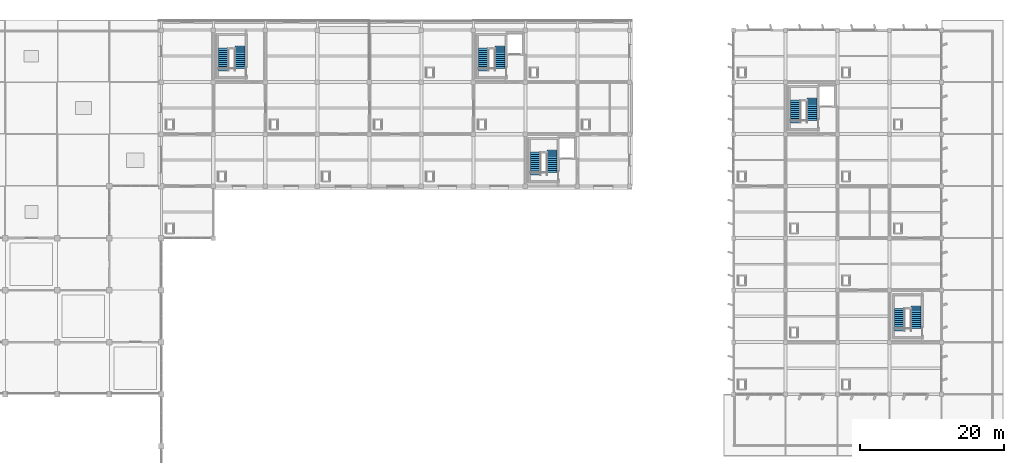
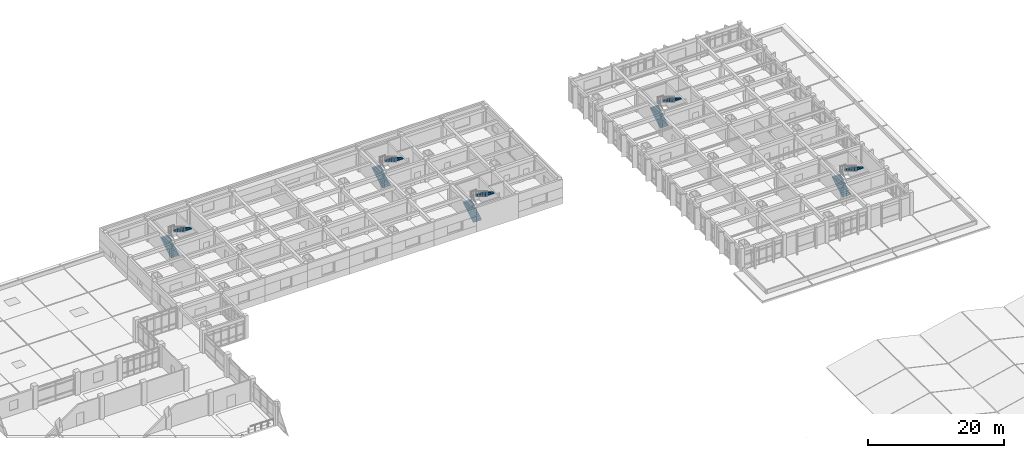
# One storey, part 58 of 62: 10 stair flights, 5 elements without a shape of their own.
"""IFC4 building model written with IfcOpenShell, lengths in metres."""

from ifc_helpers import new_model, si_unit, direction, frame, origin, place, context, subcontext, project, spatial, polyline, outline, extrude, material, type_object, element, aggregate, save


model = new_model("IFC4")

# Units and contexts
model_context = context("Model", 3, precision=1e-05, world=origin(), true_north=direction((0.0, 1.0)))
body_context = subcontext(model_context, "Body", "Model", "MODEL_VIEW")
ifc_project = project(units=[si_unit("LENGTHUNIT", "METRE"), si_unit("AREAUNIT", "SQUARE_METRE"), si_unit("VOLUMEUNIT", "CUBIC_METRE"), si_unit("PLANEANGLEUNIT", "RADIAN"), si_unit("MASSUNIT", "GRAM", prefix="KILO")], contexts=[model_context])

# Site, building, storey
site_placement = place(None, origin())
site = spatial("IfcSite", under=ifc_project, at=site_placement, CompositionType="ELEMENT")
building_placement = place(site_placement, origin())
building = spatial("IfcBuilding", under=site, at=building_placement, Name="Kavelor Marine Aquarium", CompositionType="ELEMENT")
storey_placement = place(building_placement, frame((0.0, 0.0, 13.5)))
storey = spatial("IfcBuildingStorey", under=building, at=storey_placement, Name="L03", CompositionType="ELEMENT", Elevation=13.5)

# Stair, stair flights
ifc_material_1 = material(Name="Concrete C40/50", Category="concrete")
stair_type = type_object("IfcStairType", Name="ST-T4", PredefinedType="HALF_TURN_STAIR", material=ifc_material_1)
stair_1_placement = place(storey_placement, origin())
stair_1 = element("IfcStair", 1, at=stair_1_placement, inside=storey, type_object=stair_type, Name="Exit Stair ST05 (L03)", PredefinedType="HALF_TURN_STAIR")
ifc_material_2 = material(Name="Concrete C40/50", Category="concrete")
stair_flight_type = type_object("IfcStairFlightType", Name="FLT-T4", PredefinedType="STRAIGHT", material=ifc_material_2)
stair_flight_1_placement = place(storey_placement, frame((47.780029296875, 105.159912109375, 0.0), z_axis=(0.0, 0.0, 1.0), x_axis=(0.0, 1.0, 0.0)))
stair_flight_1 = element("IfcStairFlight", 2, at=stair_flight_1_placement, type_object=stair_flight_type, Name="ST05 flight 1", NumberOfRisers=12, NumberOfTreads=11, PredefinedType="STRAIGHT", RiserHeight=0.1725, TreadLength=0.285, context=body_context, shape_type="SweptSolid", body=[
    extrude(outline(polyline([(0.0, 0.0), (0.0, 0.172607421875), (0.284912109375, 0.172607421875), (0.284912109375, 0.344970703125), (0.570068359375, 0.344970703125), (0.570068359375, 0.517578125), (0.85498046875, 0.517578125), (0.85498046875, 0.68994140625), (1.139892578125, 0.68994140625), (1.139892578125, 0.862548828125), (1.425048828125, 0.862548828125), (1.425048828125, 1.034912109375), (1.7099609375, 1.034912109375), (1.7099609375, 1.20751953125), (1.9951171875, 1.20751953125), (1.9951171875, 1.3798828125), (2.280029296875, 1.3798828125), (2.280029296875, 1.552490234375), (2.56494140625, 1.552490234375), (2.56494140625, 1.72509765625), (2.85009765625, 1.72509765625), (2.85009765625, 1.8974609375), (3.135009765625, 1.8974609375), (3.135009765625, 2.070068359375), (3.135009765625, 1.687255859375), (0.347412109375, 0.0), (0.0, 0.0)])), frame((0.0, 0.68994140625, 0.0), z_axis=(0.0, -1.0, 0.0), x_axis=(1.0, 0.0, 0.0)), (0.0, 0.0, 1.0), 1.3798828125),
])
stair_flight_2_placement = place(storey_placement, frame((50.10009765625, 108.594970703125, 2.070068359375), z_axis=(0.0, 0.0, 1.0), x_axis=(0.0, -1.0, 0.0)))
stair_flight_2 = element("IfcStairFlight", 3, at=stair_flight_2_placement, type_object=stair_flight_type, Name="ST05 flight 2", NumberOfRisers=12, NumberOfTreads=11, PredefinedType="STRAIGHT", RiserHeight=0.1725, TreadLength=0.285, context=body_context, shape_type="SweptSolid", body=[
    extrude(outline(polyline([(0.0, 0.0), (0.0, 0.172607421875), (0.284912109375, 0.172607421875), (0.284912109375, 0.344970703125), (0.570068359375, 0.344970703125), (0.570068359375, 0.517578125), (0.85498046875, 0.517578125), (0.85498046875, 0.68994140625), (1.139892578125, 0.68994140625), (1.139892578125, 0.862548828125), (1.425048828125, 0.862548828125), (1.425048828125, 1.034912109375), (1.7099609375, 1.034912109375), (1.7099609375, 1.20751953125), (1.9951171875, 1.20751953125), (1.9951171875, 1.3798828125), (2.280029296875, 1.3798828125), (2.280029296875, 1.552490234375), (2.56494140625, 1.552490234375), (2.56494140625, 1.72509765625), (2.85009765625, 1.72509765625), (2.85009765625, 1.8974609375), (3.135009765625, 1.8974609375), (3.135009765625, 2.070068359375), (3.135009765625, 1.687255859375), (0.347412109375, 0.0), (0.0, 0.0)])), frame((0.0, 0.68994140625, 0.0), z_axis=(0.0, -1.0, 0.0), x_axis=(1.0, 0.0, 0.0)), (0.0, 0.0, 1.0), 1.3798828125),
])
aggregate(stair_1, [stair_flight_1, stair_flight_2])

stair_2_placement = place(storey_placement, origin())
stair_2 = element("IfcStair", 4, at=stair_2_placement, inside=storey, type_object=stair_type, Name="Exit Stair ST06 (L03)", PredefinedType="HALF_TURN_STAIR")
stair_flight_3_placement = place(storey_placement, frame((83.780029296875, 105.159912109375, 0.0), z_axis=(0.0, 0.0, 1.0), x_axis=(0.0, 1.0, 0.0)))
stair_flight_3 = element("IfcStairFlight", 5, at=stair_flight_3_placement, type_object=stair_flight_type, Name="ST06 flight 1", NumberOfRisers=12, NumberOfTreads=11, PredefinedType="STRAIGHT", RiserHeight=0.1725, TreadLength=0.285, context=body_context, shape_type="SweptSolid", body=[
    extrude(outline(polyline([(0.0, 0.0), (0.0, 0.172607421875), (0.284912109375, 0.172607421875), (0.284912109375, 0.344970703125), (0.570068359375, 0.344970703125), (0.570068359375, 0.517578125), (0.85498046875, 0.517578125), (0.85498046875, 0.68994140625), (1.139892578125, 0.68994140625), (1.139892578125, 0.862548828125), (1.425048828125, 0.862548828125), (1.425048828125, 1.034912109375), (1.7099609375, 1.034912109375), (1.7099609375, 1.20751953125), (1.9951171875, 1.20751953125), (1.9951171875, 1.3798828125), (2.280029296875, 1.3798828125), (2.280029296875, 1.552490234375), (2.56494140625, 1.552490234375), (2.56494140625, 1.72509765625), (2.85009765625, 1.72509765625), (2.85009765625, 1.8974609375), (3.135009765625, 1.8974609375), (3.135009765625, 2.070068359375), (3.135009765625, 1.687255859375), (0.347412109375, 0.0), (0.0, 0.0)])), frame((0.0, 0.68994140625, 0.0), z_axis=(0.0, -1.0, 0.0), x_axis=(1.0, 0.0, 0.0)), (0.0, 0.0, 1.0), 1.3798828125),
])
stair_flight_4_placement = place(storey_placement, frame((86.10009765625, 108.594970703125, 2.070068359375), z_axis=(0.0, 0.0, 1.0), x_axis=(0.0, -1.0, 0.0)))
stair_flight_4 = element("IfcStairFlight", 6, at=stair_flight_4_placement, type_object=stair_flight_type, Name="ST06 flight 2", NumberOfRisers=12, NumberOfTreads=11, PredefinedType="STRAIGHT", RiserHeight=0.1725, TreadLength=0.285, context=body_context, shape_type="SweptSolid", body=[
    extrude(outline(polyline([(0.0, 0.0), (0.0, 0.172607421875), (0.284912109375, 0.172607421875), (0.284912109375, 0.344970703125), (0.570068359375, 0.344970703125), (0.570068359375, 0.517578125), (0.85498046875, 0.517578125), (0.85498046875, 0.68994140625), (1.139892578125, 0.68994140625), (1.139892578125, 0.862548828125), (1.425048828125, 0.862548828125), (1.425048828125, 1.034912109375), (1.7099609375, 1.034912109375), (1.7099609375, 1.20751953125), (1.9951171875, 1.20751953125), (1.9951171875, 1.3798828125), (2.280029296875, 1.3798828125), (2.280029296875, 1.552490234375), (2.56494140625, 1.552490234375), (2.56494140625, 1.72509765625), (2.85009765625, 1.72509765625), (2.85009765625, 1.8974609375), (3.135009765625, 1.8974609375), (3.135009765625, 2.070068359375), (3.135009765625, 1.687255859375), (0.347412109375, 0.0), (0.0, 0.0)])), frame((0.0, 0.68994140625, 0.0), z_axis=(0.0, -1.0, 0.0), x_axis=(1.0, 0.0, 0.0)), (0.0, 0.0, 1.0), 1.3798828125),
])
aggregate(stair_2, [stair_flight_3, stair_flight_4])

stair_3_placement = place(storey_placement, origin())
stair_3 = element("IfcStair", 7, at=stair_3_placement, inside=storey, type_object=stair_type, Name="Exit Stair ST07 (L03)", PredefinedType="HALF_TURN_STAIR")
stair_flight_5_placement = place(storey_placement, frame((90.97998046875, 90.760009765625, 0.0), z_axis=(0.0, 0.0, 1.0), x_axis=(0.0, 1.0, 0.0)))
stair_flight_5 = element("IfcStairFlight", 8, at=stair_flight_5_placement, type_object=stair_flight_type, Name="ST07 flight 1", NumberOfRisers=12, NumberOfTreads=11, PredefinedType="STRAIGHT", RiserHeight=0.1725, TreadLength=0.285, context=body_context, shape_type="SweptSolid", body=[
    extrude(outline(polyline([(0.0, 0.0), (0.0, 0.172607421875), (0.284912109375, 0.172607421875), (0.284912109375, 0.344970703125), (0.570068359375, 0.344970703125), (0.570068359375, 0.517578125), (0.85498046875, 0.517578125), (0.85498046875, 0.68994140625), (1.139892578125, 0.68994140625), (1.139892578125, 0.862548828125), (1.425048828125, 0.862548828125), (1.425048828125, 1.034912109375), (1.7099609375, 1.034912109375), (1.7099609375, 1.20751953125), (1.9951171875, 1.20751953125), (1.9951171875, 1.3798828125), (2.280029296875, 1.3798828125), (2.280029296875, 1.552490234375), (2.56494140625, 1.552490234375), (2.56494140625, 1.72509765625), (2.85009765625, 1.72509765625), (2.85009765625, 1.8974609375), (3.135009765625, 1.8974609375), (3.135009765625, 2.070068359375), (3.135009765625, 1.687255859375), (0.347412109375, 0.0), (0.0, 0.0)])), frame((0.0, 0.68994140625, 0.0), z_axis=(0.0, -1.0, 0.0), x_axis=(1.0, 0.0, 0.0)), (0.0, 0.0, 1.0), 1.3798828125),
])
stair_flight_6_placement = place(storey_placement, frame((93.300048828125, 94.195068359375, 2.070068359375), z_axis=(0.0, 0.0, 1.0), x_axis=(0.0, -1.0, 0.0)))
stair_flight_6 = element("IfcStairFlight", 9, at=stair_flight_6_placement, type_object=stair_flight_type, Name="ST07 flight 2", NumberOfRisers=12, NumberOfTreads=11, PredefinedType="STRAIGHT", RiserHeight=0.1725, TreadLength=0.285, context=body_context, shape_type="SweptSolid", body=[
    extrude(outline(polyline([(0.0, 0.0), (0.0, 0.172607421875), (0.284912109375, 0.172607421875), (0.284912109375, 0.344970703125), (0.570068359375, 0.344970703125), (0.570068359375, 0.517578125), (0.85498046875, 0.517578125), (0.85498046875, 0.68994140625), (1.139892578125, 0.68994140625), (1.139892578125, 0.862548828125), (1.425048828125, 0.862548828125), (1.425048828125, 1.034912109375), (1.7099609375, 1.034912109375), (1.7099609375, 1.20751953125), (1.9951171875, 1.20751953125), (1.9951171875, 1.3798828125), (2.280029296875, 1.3798828125), (2.280029296875, 1.552490234375), (2.56494140625, 1.552490234375), (2.56494140625, 1.72509765625), (2.85009765625, 1.72509765625), (2.85009765625, 1.8974609375), (3.135009765625, 1.8974609375), (3.135009765625, 2.070068359375), (3.135009765625, 1.687255859375), (0.347412109375, 0.0), (0.0, 0.0)])), frame((0.0, 0.68994140625, 0.0), z_axis=(0.0, -1.0, 0.0), x_axis=(1.0, 0.0, 0.0)), (0.0, 0.0, 1.0), 1.3798828125),
])
aggregate(stair_3, [stair_flight_5, stair_flight_6])

stair_4_placement = place(storey_placement, origin())
stair_4 = element("IfcStair", 10, at=stair_4_placement, inside=storey, type_object=stair_type, Name="Exit Stair ST10 (L03)", PredefinedType="HALF_TURN_STAIR")
stair_flight_7_placement = place(storey_placement, frame((126.97998046875, 97.9599609375, 0.0), z_axis=(0.0, 0.0, 1.0), x_axis=(0.0, 1.0, 0.0)))
stair_flight_7 = element("IfcStairFlight", 11, at=stair_flight_7_placement, type_object=stair_flight_type, Name="ST10 flight 1", NumberOfRisers=12, NumberOfTreads=11, PredefinedType="STRAIGHT", RiserHeight=0.1725, TreadLength=0.285, context=body_context, shape_type="SweptSolid", body=[
    extrude(outline(polyline([(0.0, 0.0), (0.0, 0.172607421875), (0.284912109375, 0.172607421875), (0.284912109375, 0.344970703125), (0.570068359375, 0.344970703125), (0.570068359375, 0.517578125), (0.85498046875, 0.517578125), (0.85498046875, 0.68994140625), (1.139892578125, 0.68994140625), (1.139892578125, 0.862548828125), (1.425048828125, 0.862548828125), (1.425048828125, 1.034912109375), (1.7099609375, 1.034912109375), (1.7099609375, 1.20751953125), (1.9951171875, 1.20751953125), (1.9951171875, 1.3798828125), (2.280029296875, 1.3798828125), (2.280029296875, 1.552490234375), (2.56494140625, 1.552490234375), (2.56494140625, 1.72509765625), (2.85009765625, 1.72509765625), (2.85009765625, 1.8974609375), (3.135009765625, 1.8974609375), (3.135009765625, 2.070068359375), (3.135009765625, 1.687255859375), (0.347412109375, 0.0), (0.0, 0.0)])), frame((0.0, 0.68994140625, 0.0), z_axis=(0.0, -1.0, 0.0), x_axis=(1.0, 0.0, 0.0)), (0.0, 0.0, 1.0), 1.3798828125),
])
stair_flight_8_placement = place(storey_placement, frame((129.300048828125, 101.39501953125, 2.070068359375), z_axis=(0.0, 0.0, 1.0), x_axis=(0.0, -1.0, 0.0)))
stair_flight_8 = element("IfcStairFlight", 12, at=stair_flight_8_placement, type_object=stair_flight_type, Name="ST10 flight 2", NumberOfRisers=12, NumberOfTreads=11, PredefinedType="STRAIGHT", RiserHeight=0.1725, TreadLength=0.285, context=body_context, shape_type="SweptSolid", body=[
    extrude(outline(polyline([(0.0, 0.0), (0.0, 0.172607421875), (0.284912109375, 0.172607421875), (0.284912109375, 0.344970703125), (0.570068359375, 0.344970703125), (0.570068359375, 0.517578125), (0.85498046875, 0.517578125), (0.85498046875, 0.68994140625), (1.139892578125, 0.68994140625), (1.139892578125, 0.862548828125), (1.425048828125, 0.862548828125), (1.425048828125, 1.034912109375), (1.7099609375, 1.034912109375), (1.7099609375, 1.20751953125), (1.9951171875, 1.20751953125), (1.9951171875, 1.3798828125), (2.280029296875, 1.3798828125), (2.280029296875, 1.552490234375), (2.56494140625, 1.552490234375), (2.56494140625, 1.72509765625), (2.85009765625, 1.72509765625), (2.85009765625, 1.8974609375), (3.135009765625, 1.8974609375), (3.135009765625, 2.070068359375), (3.135009765625, 1.687255859375), (0.347412109375, 0.0), (0.0, 0.0)])), frame((0.0, 0.68994140625, 0.0), z_axis=(0.0, -1.0, 0.0), x_axis=(1.0, 0.0, 0.0)), (0.0, 0.0, 1.0), 1.3798828125),
])
aggregate(stair_4, [stair_flight_7, stair_flight_8])

stair_5_placement = place(storey_placement, origin())
stair_5 = element("IfcStair", 13, at=stair_5_placement, inside=storey, type_object=stair_type, Name="Exit Stair ST11 (L03)", PredefinedType="HALF_TURN_STAIR")
stair_flight_9_placement = place(storey_placement, frame((141.3798828125, 69.159912109375, 0.0), z_axis=(0.0, 0.0, 1.0), x_axis=(0.0, 1.0, 0.0)))
stair_flight_9 = element("IfcStairFlight", 14, at=stair_flight_9_placement, type_object=stair_flight_type, Name="ST11 flight 1", NumberOfRisers=12, NumberOfTreads=11, PredefinedType="STRAIGHT", RiserHeight=0.1725, TreadLength=0.285, context=body_context, shape_type="SweptSolid", body=[
    extrude(outline(polyline([(0.0, 0.0), (0.0, 0.172607421875), (0.284912109375, 0.172607421875), (0.284912109375, 0.344970703125), (0.570068359375, 0.344970703125), (0.570068359375, 0.517578125), (0.85498046875, 0.517578125), (0.85498046875, 0.68994140625), (1.139892578125, 0.68994140625), (1.139892578125, 0.862548828125), (1.425048828125, 0.862548828125), (1.425048828125, 1.034912109375), (1.7099609375, 1.034912109375), (1.7099609375, 1.20751953125), (1.9951171875, 1.20751953125), (1.9951171875, 1.3798828125), (2.280029296875, 1.3798828125), (2.280029296875, 1.552490234375), (2.56494140625, 1.552490234375), (2.56494140625, 1.72509765625), (2.85009765625, 1.72509765625), (2.85009765625, 1.8974609375), (3.135009765625, 1.8974609375), (3.135009765625, 2.070068359375), (3.135009765625, 1.687255859375), (0.347412109375, 0.0), (0.0, 0.0)])), frame((0.0, 0.68994140625, 0.0), z_axis=(0.0, -1.0, 0.0), x_axis=(1.0, 0.0, 0.0)), (0.0, 0.0, 1.0), 1.3798828125),
])
stair_flight_10_placement = place(storey_placement, frame((143.699951171875, 72.594970703125, 2.070068359375), z_axis=(0.0, 0.0, 1.0), x_axis=(0.0, -1.0, 0.0)))
stair_flight_10 = element("IfcStairFlight", 15, at=stair_flight_10_placement, type_object=stair_flight_type, Name="ST11 flight 2", NumberOfRisers=12, NumberOfTreads=11, PredefinedType="STRAIGHT", RiserHeight=0.1725, TreadLength=0.285, context=body_context, shape_type="SweptSolid", body=[
    extrude(outline(polyline([(0.0, 0.0), (0.0, 0.172607421875), (0.284912109375, 0.172607421875), (0.284912109375, 0.344970703125), (0.570068359375, 0.344970703125), (0.570068359375, 0.517578125), (0.85498046875, 0.517578125), (0.85498046875, 0.68994140625), (1.139892578125, 0.68994140625), (1.139892578125, 0.862548828125), (1.425048828125, 0.862548828125), (1.425048828125, 1.034912109375), (1.7099609375, 1.034912109375), (1.7099609375, 1.20751953125), (1.9951171875, 1.20751953125), (1.9951171875, 1.3798828125), (2.280029296875, 1.3798828125), (2.280029296875, 1.552490234375), (2.56494140625, 1.552490234375), (2.56494140625, 1.72509765625), (2.85009765625, 1.72509765625), (2.85009765625, 1.8974609375), (3.135009765625, 1.8974609375), (3.135009765625, 2.070068359375), (3.135009765625, 1.687255859375), (0.347412109375, 0.0), (0.0, 0.0)])), frame((0.0, 0.68994140625, 0.0), z_axis=(0.0, -1.0, 0.0), x_axis=(1.0, 0.0, 0.0)), (0.0, 0.0, 1.0), 1.3798828125),
])
aggregate(stair_5, [stair_flight_9, stair_flight_10])

save(model, "model.ifc")
